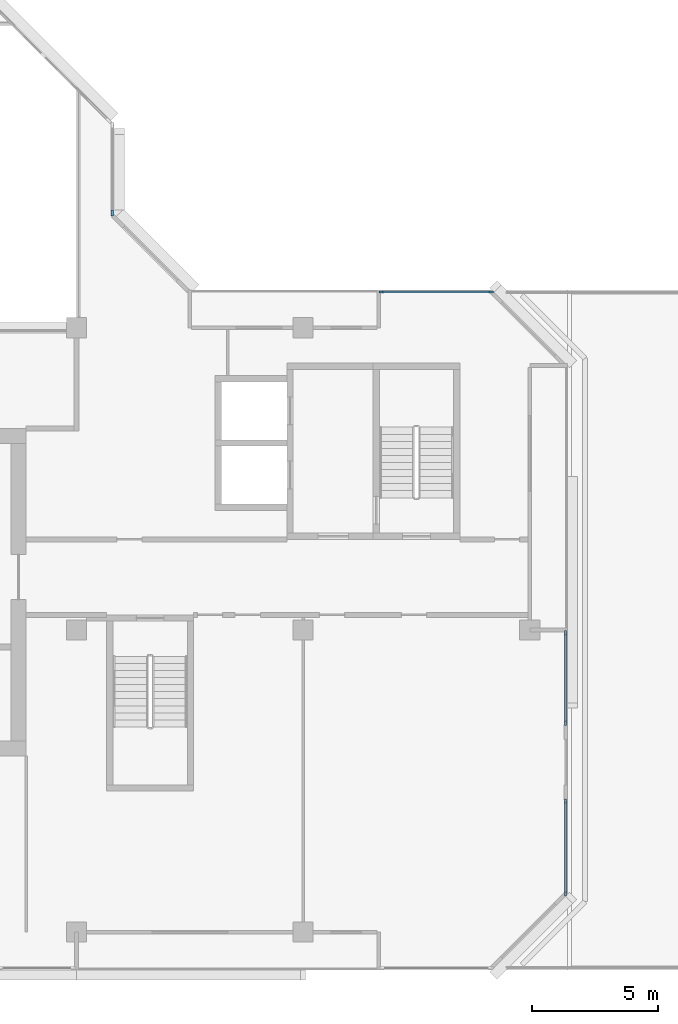
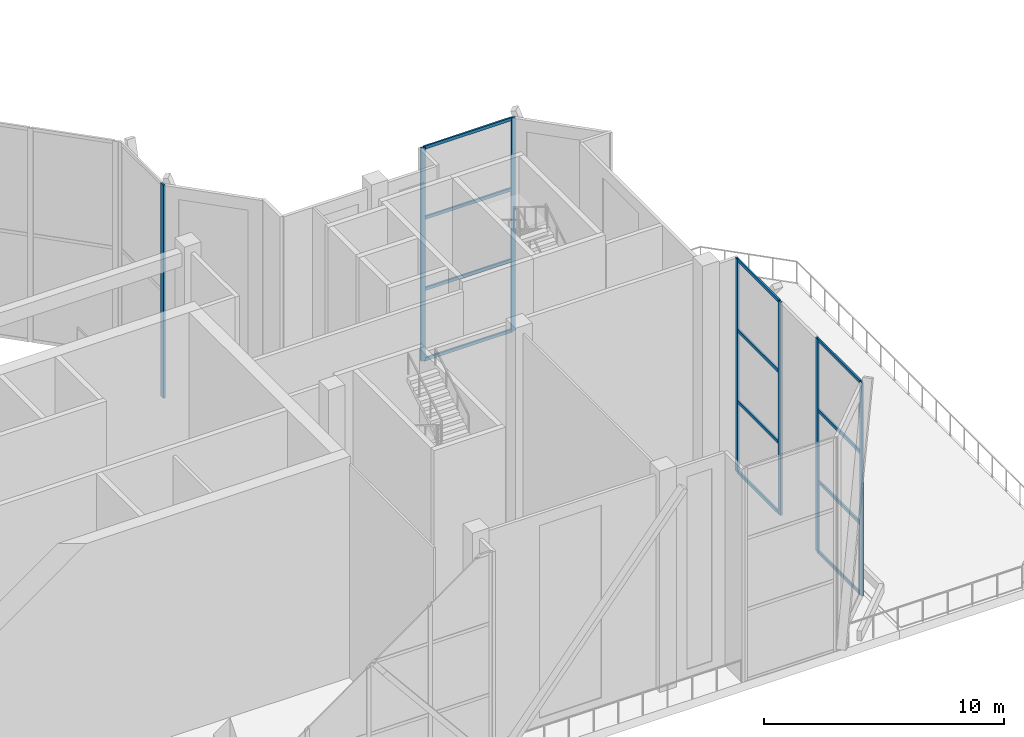
# One storey, part 4 of 16: 19 members, 4 elements without a shape of their own.
"""IFC4 building model written with IfcOpenShell, lengths in metres."""

import ifcopenshell
import ifcopenshell.guid

model = None  # the IFC model being written
_history = None  # IfcOwnerHistory: only IFC2X3 demands one
_inside = {}  # id of a spatial element -> (the spatial element, [elements in it])
_under = {}  # id of a project, library or spatial element -> (it, [spatial elements below it])
_declared = {}  # id of a project -> (the project, [libraries it declares])
_typed = {}  # id of a type object -> (the type object, [elements of that type])
_made_of = {}  # id of a material, layer set ... -> (it, [elements and type objects made of it])


def new_model(schema):
    """Start an empty IFC model of exactly this schema.

    Asked for "IFC4X3", IfcOpenShell would pick the latest addendum, in which some entities
    have other attributes; the version numbers below select the first issue.
    IFC2X3 requires an IfcOwnerHistory on every rooted entity: one is made here for all.
    """
    global model, _history
    if schema == "IFC4X3":
        model = ifcopenshell.file(schema_version=(4, 3, 0, 0))
    else:
        model = ifcopenshell.file(schema=schema)
    _inside.clear()
    _under.clear()
    _declared.clear()
    _typed.clear()
    _made_of.clear()
    _history = None
    if model.schema == "IFC2X3":
        org = make("IfcOrganization", Name="unknown")
        user = make(
            "IfcPersonAndOrganization",
            ThePerson=make("IfcPerson", FamilyName="unknown"),
            TheOrganization=org,
        )
        app = make(
            "IfcApplication",
            ApplicationDeveloper=org,
            Version="unknown",
            ApplicationFullName="unknown",
            ApplicationIdentifier="unknown",
        )
        _history = make(
            "IfcOwnerHistory",
            OwningUser=user,
            OwningApplication=app,
            ChangeAction="ADDED",
            CreationDate=0,
        )
    return model


def make(cls, **values):
    """One entity of the class cls with the attributes given. An attribute that is None is left unset."""
    return model.create_entity(
        cls, **{name: value for name, value in values.items() if value is not None}
    )


def rooted(cls, **values):
    """An entity with a GlobalId (a new one), such as an element, a storey or a relation."""
    return make(cls, GlobalId=ifcopenshell.guid.new(), OwnerHistory=_history, **values)


def si_unit(unit_type, name, prefix=None):
    """IfcSIUnit, for example si_unit("LENGTHUNIT", "METRE", prefix="MILLI")."""
    return make("IfcSIUnit", UnitType=unit_type, Prefix=prefix, Name=name)


def assignment(units):
    """IfcUnitAssignment: the units of a project."""
    return None if units is None else make("IfcUnitAssignment", Units=units)


def point(xyz):
    """IfcCartesianPoint."""
    return None if xyz is None else make("IfcCartesianPoint", Coordinates=xyz)


def direction(xyz):
    """IfcDirection."""
    return None if xyz is None else make("IfcDirection", DirectionRatios=xyz)


def frame(location, z_axis=None, x_axis=None):
    """IfcAxis2Placement3D, a coordinate frame: its origin and axes. An axis left out is left unset."""
    return make(
        "IfcAxis2Placement3D",
        Location=point(location),
        Axis=direction(z_axis),
        RefDirection=direction(x_axis),
    )


def frame_2d(location, x_axis=None):
    """IfcAxis2Placement2D, a coordinate frame in the plane: its origin and x axis."""
    return make(
        "IfcAxis2Placement2D", Location=point(location), RefDirection=direction(x_axis)
    )


def origin():
    """The frame at (0, 0, 0) with its axes left unset."""
    return frame((0.0, 0.0, 0.0))


def origin_2d():
    """The frame at (0, 0) in the plane with its x axis left unset."""
    return frame_2d((0.0, 0.0))


def place(relative_to, where):
    """IfcLocalPlacement: puts the frame where relative to a parent placement (None: the world)."""
    return make(
        "IfcLocalPlacement", PlacementRelTo=relative_to, RelativePlacement=where
    )


def context(
    kind, dimensions, precision=None, world=None, true_north=None, identifier=None
):
    """IfcGeometricRepresentationContext, for example the 3D "Model" context."""
    return make(
        "IfcGeometricRepresentationContext",
        ContextIdentifier=identifier,
        ContextType=kind,
        CoordinateSpaceDimension=dimensions,
        Precision=precision,
        WorldCoordinateSystem=world,
        TrueNorth=true_north,
    )


def subcontext(parent, identifier, kind, view, scale=None):
    """IfcGeometricRepresentationSubContext, for example "Body" below "Model"."""
    return make(
        "IfcGeometricRepresentationSubContext",
        ContextIdentifier=identifier,
        ContextType=kind,
        ParentContext=parent,
        TargetScale=scale,
        TargetView=view,
    )


def project(units=None, contexts=None):
    """IfcProject with its units and contexts."""
    return rooted(
        "IfcProject",
        Name="project",
        RepresentationContexts=contexts,
        UnitsInContext=assignment(units),
    )


def spatial(cls, under=None, at=None, **own):
    """A site, building, storey or space (cls), placed at a placement, below another one or the project."""
    s = rooted(cls, ObjectPlacement=at, **own)
    if under is not None:
        _under.setdefault(under.id(), (under, []))[1].append(s)
    return s


def profile(cls, at=None, kind="AREA", **sizes):
    """A parametric profile (cls). Its sizes go by their IFC names, for example OverallWidth=200.0."""
    return make(cls, ProfileType=kind, Position=at, **sizes)


def rectangle(**sizes):
    """IfcRectangleProfileDef."""
    return profile("IfcRectangleProfileDef", **sizes)


def extrude(swept, where, along, depth):
    """IfcExtrudedAreaSolid: the profile swept, set in the frame where, extruded along a direction by depth."""
    return make(
        "IfcExtrudedAreaSolid",
        SweptArea=swept,
        Position=where,
        ExtrudedDirection=direction(along),
        Depth=depth,
    )


def shape(context_of_items, identifier, shape_type, items):
    """IfcShapeRepresentation: the items that make up one representation, for example the "Body"."""
    return make(
        "IfcShapeRepresentation",
        ContextOfItems=context_of_items,
        RepresentationIdentifier=identifier,
        RepresentationType=shape_type,
        Items=items,
    )


def material(Name=None, Category=None):
    """IfcMaterial."""
    return make("IfcMaterial", Name=Name, Category=Category)


def layer(
    of_material, thickness, ventilated=None, Name=None, Category=None, Priority=None
):
    """IfcMaterialLayer: one layer of a wall or slab, of a material (None: an air gap)."""
    return make(
        "IfcMaterialLayer",
        Material=of_material,
        LayerThickness=thickness,
        IsVentilated=ventilated,
        Name=Name,
        Category=Category,
        Priority=Priority,
    )


def layer_set(layers, Name=None):
    """IfcMaterialLayerSet."""
    return make("IfcMaterialLayerSet", MaterialLayers=layers, LayerSetName=Name)


def material_profile(
    of_material, cross_section, Name=None, Category=None, Priority=None
):
    """IfcMaterialProfile: a cross section and its material."""
    return make(
        "IfcMaterialProfile",
        Name=Name,
        Material=of_material,
        Profile=cross_section,
        Priority=Priority,
        Category=Category,
    )


def profile_set(profiles, Name=None, composite=None):
    """IfcMaterialProfileSet."""
    return make(
        "IfcMaterialProfileSet",
        Name=Name,
        MaterialProfiles=profiles,
        CompositeProfile=composite,
    )


def made_of(thing, what):
    """Note that an element or type object is made of a material, layer set ...; save() writes the relation."""
    if what is not None:
        _made_of.setdefault(what.id(), (what, []))[1].append(thing)
    return thing


def type_object(cls, material=None, **own):
    """A type object (cls), such as IfcWallType, which elements share."""
    return made_of(rooted(cls, **own), material)


def element(
    cls,
    number,
    at=None,
    inside=None,
    cuts=None,
    type_object=None,
    material=None,
    context=None,
    identifier="Body",
    shape_type=None,
    held_by="IfcProductDefinitionShape",
    body=None,
    shapes=None,
    **own,
):
    """One element of the class cls, such as IfcWall. Its Tag is "e" and its number.

    at: its placement. inside: the storey or other place that contains it. cuts: it is an
    opening in that element (IfcRelVoidsElement). A single representation is given by context,
    identifier, shape_type and body (its items); several are given by shapes. held_by: the class
    of the entity that holds the representations. save() writes the other relations.
    """
    e = rooted(cls, Tag="e%d" % number, ObjectPlacement=at, **own)
    if body is not None:
        shapes = [shape(context, identifier, shape_type, body)]
    if shapes is not None:
        e.Representation = make(held_by, Representations=shapes)
    if inside is not None:
        _inside.setdefault(inside.id(), (inside, []))[1].append(e)
    if cuts is not None:
        rooted(
            "IfcRelVoidsElement", RelatingBuildingElement=cuts, RelatedOpeningElement=e
        )
    if type_object is not None:
        _typed.setdefault(type_object.id(), (type_object, []))[1].append(e)
    return made_of(e, material)


def aggregate(whole, parts):
    """IfcRelAggregates: a whole, such as a stair, and the parts it consists of."""
    return rooted("IfcRelAggregates", RelatingObject=whole, RelatedObjects=parts)


def save(model, path):
    """Write the relations noted so far, then the file.

    IfcRelAggregates (storeys below a building ...), IfcRelContainedInSpatialStructure (elements
    in a storey), IfcRelDefinesByType, IfcRelAssociatesMaterial and IfcRelDeclares: one each for
    every whole, place, type object, material and project.
    """
    for whole, parts in _under.values():
        aggregate(whole, parts)
    for where, things in _inside.values():
        rooted(
            "IfcRelContainedInSpatialStructure",
            RelatedElements=things,
            RelatingStructure=where,
        )
    for kind, things in _typed.values():
        rooted("IfcRelDefinesByType", RelatedObjects=things, RelatingType=kind)
    for what, things in _made_of.values():
        rooted("IfcRelAssociatesMaterial", RelatedObjects=things, RelatingMaterial=what)
    for by, libraries in _declared.values():
        rooted("IfcRelDeclares", RelatingContext=by, RelatedDefinitions=libraries)
    model.write(path)


model = new_model("IFC4")

# Units and contexts
model_context = context("Model", 3, precision=1e-05, world=origin(), true_north=direction((0.0, 1.0)))
body_context = subcontext(model_context, "Body", "Model", "MODEL_VIEW")
ifc_project = project(units=[si_unit("LENGTHUNIT", "METRE"), si_unit("AREAUNIT", "SQUARE_METRE"), si_unit("VOLUMEUNIT", "CUBIC_METRE"), si_unit("PLANEANGLEUNIT", "RADIAN"), si_unit("MASSUNIT", "GRAM", prefix="KILO")], contexts=[model_context])

# Site, building, storey
site_placement = place(None, origin())
site = spatial("IfcSite", under=ifc_project, at=site_placement, CompositionType="ELEMENT")
building_placement = place(site_placement, origin())
building = spatial("IfcBuilding", under=site, at=building_placement, Name="Chenar Terraces", CompositionType="ELEMENT")
storey_placement = place(building_placement, frame((0.0, 0.0, 327.64990234375)))
storey = spatial("IfcBuildingStorey", under=building, at=storey_placement, Name="L77", CompositionType="ELEMENT", Elevation=327.64990234375)

# Curtain wall, member
ifc_material_1 = material(Name="Aluminium framed glazing", Category="aluminium")
ifc_layer_1 = layer(ifc_material_1, 0.14990234375)
ifc_layer_set_1 = layer_set([ifc_layer_1], Name="Aluminium framed glazing")
curtain_wall_type_1 = type_object("IfcCurtainWallType", Name="Atrium upper-zone curtain wall", PredefinedType="NOTDEFINED", material=ifc_layer_set_1)
placement = place(storey_placement, origin())
curtain_wall_1 = element("IfcCurtainWall", 1, at=placement, inside=storey, type_object=curtain_wall_type_1, Name="Atrium upper-zone curtain wall", PredefinedType="NOTDEFINED")
ifc_material_2 = material(Name="Aluminium", Category="aluminium")
ifc_material_profile_1 = material_profile(ifc_material_2, rectangle(XDim=0.10009765625, YDim=0.239990234375, at=origin_2d()), Name="Atrium upper-zone glazing mullion 100 x 240")
ifc_profile_set_1 = profile_set([ifc_material_profile_1], Name="Aluminium")
member_type_1 = type_object("IfcMemberType", Name="Atrium upper-zone glazing mullion 100 x 240", PredefinedType="MULLION", material=ifc_profile_set_1)
member_1_placement = place(storey_placement, frame((37.425048828125, 28.550048828125, 0.0), z_axis=(0.0, 0.0, 1.0), x_axis=(-1.0, 0.0, 0.0)))
member_1 = element("IfcMember", 2, at=member_1_placement, type_object=member_type_1, Name="CW8-1 mullion 1", PredefinedType="MULLION", context=body_context, shape_type="SweptSolid", body=[
    extrude(rectangle(XDim=0.10009765625, YDim=0.239990234375, at=origin_2d()), origin(), (0.0, 0.0, 1.0), 10.85009765625),
])
aggregate(curtain_wall_1, [member_1])

# Curtain wall, members
ifc_material_3 = material(Name="Aluminium framed glazing", Category="aluminium")
ifc_layer_2 = layer(ifc_material_3, 0.14990234375)
ifc_layer_set_2 = layer_set([ifc_layer_2], Name="Aluminium framed glazing")
curtain_wall_type_2 = type_object("IfcCurtainWallType", Name="Sky garden curtain wall", PredefinedType="NOTDEFINED", material=ifc_layer_set_2)
curtain_wall_2 = element("IfcCurtainWall", 3, at=placement, inside=storey, type_object=curtain_wall_type_2, Name="Sky garden curtain wall", PredefinedType="NOTDEFINED")
ifc_material_4 = material(Name="Aluminium", Category="aluminium")
ifc_material_profile_2 = material_profile(ifc_material_4, rectangle(XDim=0.080078125, YDim=0.199951171875, at=origin_2d()), Name="Sky garden mullion 80 x 200")
ifc_profile_set_2 = profile_set([ifc_material_profile_2], Name="Aluminium")
member_type_2 = type_object("IfcMemberType", Name="Sky garden mullion 80 x 200", PredefinedType="MULLION", material=ifc_profile_set_2)
member_2_placement = place(storey_placement, frame((52.4599609375, 25.425048828125, 0.0), z_axis=(0.0, 0.0, 1.0), x_axis=(0.0, -1.0, 0.0)))
member_2 = element("IfcMember", 4, at=member_2_placement, type_object=member_type_2, Name="CW3-01 mullion 1", PredefinedType="MULLION", context=body_context, shape_type="SweptSolid", body=[
    extrude(rectangle(XDim=0.080078125, YDim=0.199951171875, at=origin_2d()), origin(), (0.0, 0.0, 1.0), 10.85009765625),
])
member_3_placement = place(storey_placement, frame((48.114990234375, 25.425048828125, 0.0), z_axis=(0.0, 0.0, 1.0), x_axis=(0.0, -1.0, 0.0)))
member_3 = element("IfcMember", 5, at=member_3_placement, type_object=member_type_2, Name="CW3-01 mullion 2", PredefinedType="MULLION", context=body_context, shape_type="SweptSolid", body=[
    extrude(rectangle(XDim=0.080078125, YDim=0.199951171875, at=origin_2d()), origin(), (0.0, 0.0, 1.0), 10.85009765625),
])

curtain_wall_3 = element("IfcCurtainWall", 6, at=placement, inside=storey, type_object=curtain_wall_type_2, Name="Sky garden curtain wall", PredefinedType="NOTDEFINED")
member_4_placement = place(storey_placement, frame((55.425048828125, 1.5400390625, 0.0), z_axis=(0.0, 0.0, 1.0), x_axis=(-1.0, 0.0, 0.0)))
member_4 = element("IfcMember", 7, at=member_4_placement, type_object=member_type_2, Name="CW3-08 mullion 1", PredefinedType="MULLION", context=body_context, shape_type="SweptSolid", body=[
    extrude(rectangle(XDim=0.080078125, YDim=0.199951171875, at=origin_2d()), origin(), (0.0, 0.0, 1.0), 10.85009765625),
])
member_5_placement = place(storey_placement, frame((55.425048828125, 5.197509765625, 0.0), z_axis=(0.0, 0.0, 1.0), x_axis=(-1.0, 0.0, 0.0)))
member_5 = element("IfcMember", 8, at=member_5_placement, type_object=member_type_2, Name="CW3-08 mullion 2", PredefinedType="MULLION", context=body_context, shape_type="SweptSolid", body=[
    extrude(rectangle(XDim=0.080078125, YDim=0.199951171875, at=origin_2d()), origin(), (0.0, 0.0, 1.0), 10.85009765625),
])

curtain_wall_4 = element("IfcCurtainWall", 9, at=placement, inside=storey, type_object=curtain_wall_type_2, Name="Sky garden curtain wall", PredefinedType="NOTDEFINED")
member_6_placement = place(storey_placement, frame((55.425048828125, 8.302490234375, 0.0), z_axis=(0.0, 0.0, 1.0), x_axis=(-1.0, 0.0, 0.0)))
member_6 = element("IfcMember", 10, at=member_6_placement, type_object=member_type_2, Name="CW3-09 mullion 1", PredefinedType="MULLION", context=body_context, shape_type="SweptSolid", body=[
    extrude(rectangle(XDim=0.080078125, YDim=0.199951171875, at=origin_2d()), origin(), (0.0, 0.0, 1.0), 10.85009765625),
])
member_7_placement = place(storey_placement, frame((55.425048828125, 11.885009765625, 0.0), z_axis=(0.0, 0.0, 1.0), x_axis=(-1.0, 0.0, 0.0)))
member_7 = element("IfcMember", 11, at=member_7_placement, type_object=member_type_2, Name="CW3-09 mullion 2", PredefinedType="MULLION", context=body_context, shape_type="SweptSolid", body=[
    extrude(rectangle(XDim=0.080078125, YDim=0.199951171875, at=origin_2d()), origin(), (0.0, 0.0, 1.0), 10.85009765625),
])

# Member
ifc_material_5 = material(Name="Aluminium", Category="aluminium")
ifc_material_profile_3 = material_profile(ifc_material_5, rectangle(XDim=0.080078125, YDim=0.159912109375, at=origin_2d()), Name="Sky garden transom 80 x 160")
ifc_profile_set_3 = profile_set([ifc_material_profile_3], Name="Aluminium")
member_type_3 = type_object("IfcMemberType", Name="Sky garden transom 80 x 160", PredefinedType="USERDEFINED", material=ifc_profile_set_3)
member_8_placement = place(storey_placement, frame((52.419921875, 25.425048828125, 0.0400390625), z_axis=(-1.0, 0.0, 0.0), x_axis=(0.0, -1.0, 0.0)))
member_8 = element("IfcMember", 12, at=member_8_placement, type_object=member_type_3, Name="CW3-01 transom 1.1", ObjectType="TRANSOM", PredefinedType="USERDEFINED", context=body_context, shape_type="SweptSolid", body=[
    extrude(rectangle(XDim=0.080078125, YDim=0.159912109375, at=origin_2d()), origin(), (0.0, 0.0, 1.0), 4.264892578125),
])

member_9_placement = place(storey_placement, frame((52.419921875, 25.425048828125, 3.6171875), z_axis=(-1.0, 0.0, 0.0), x_axis=(0.0, -1.0, 0.0)))
member_9 = element("IfcMember", 13, at=member_9_placement, type_object=member_type_3, Name="CW3-01 transom 1.2", ObjectType="TRANSOM", PredefinedType="USERDEFINED", context=body_context, shape_type="SweptSolid", body=[
    extrude(rectangle(XDim=0.080078125, YDim=0.159912109375, at=origin_2d()), origin(), (0.0, 0.0, 1.0), 4.264892578125),
])

member_10_placement = place(storey_placement, frame((52.419921875, 25.425048828125, 7.233154296875), z_axis=(-1.0, 0.0, 0.0), x_axis=(0.0, -1.0, 0.0)))
member_10 = element("IfcMember", 14, at=member_10_placement, type_object=member_type_3, Name="CW3-01 transom 1.3", ObjectType="TRANSOM", PredefinedType="USERDEFINED", context=body_context, shape_type="SweptSolid", body=[
    extrude(rectangle(XDim=0.080078125, YDim=0.159912109375, at=origin_2d()), origin(), (0.0, 0.0, 1.0), 4.264892578125),
])

member_11_placement = place(storey_placement, frame((52.419921875, 25.425048828125, 10.81005859375), z_axis=(-1.0, 0.0, 0.0), x_axis=(0.0, -1.0, 0.0)))
member_11 = element("IfcMember", 15, at=member_11_placement, type_object=member_type_3, Name="CW3-01 transom 1.4", ObjectType="TRANSOM", PredefinedType="USERDEFINED", context=body_context, shape_type="SweptSolid", body=[
    extrude(rectangle(XDim=0.080078125, YDim=0.159912109375, at=origin_2d()), origin(), (0.0, 0.0, 1.0), 4.264892578125),
])

aggregate(curtain_wall_2, [member_2, member_3, member_8, member_9, member_10, member_11])

member_12_placement = place(storey_placement, frame((55.425048828125, 1.580078125, 0.0400390625), z_axis=(0.0, 1.0, 0.0), x_axis=(-1.0, 0.0, 0.0)))
member_12 = element("IfcMember", 16, at=member_12_placement, type_object=member_type_3, Name="CW3-08 transom 1.1", ObjectType="TRANSOM", PredefinedType="USERDEFINED", context=body_context, shape_type="SweptSolid", body=[
    extrude(rectangle(XDim=0.080078125, YDim=0.159912109375, at=origin_2d()), origin(), (0.0, 0.0, 1.0), 3.577392578125),
])

member_13_placement = place(storey_placement, frame((55.425048828125, 1.580078125, 3.6171875), z_axis=(0.0, 1.0, 0.0), x_axis=(-1.0, 0.0, 0.0)))
member_13 = element("IfcMember", 17, at=member_13_placement, type_object=member_type_3, Name="CW3-08 transom 1.2", ObjectType="TRANSOM", PredefinedType="USERDEFINED", context=body_context, shape_type="SweptSolid", body=[
    extrude(rectangle(XDim=0.080078125, YDim=0.159912109375, at=origin_2d()), origin(), (0.0, 0.0, 1.0), 3.577392578125),
])

member_14_placement = place(storey_placement, frame((55.425048828125, 1.580078125, 7.233154296875), z_axis=(0.0, 1.0, 0.0), x_axis=(-1.0, 0.0, 0.0)))
member_14 = element("IfcMember", 18, at=member_14_placement, type_object=member_type_3, Name="CW3-08 transom 1.3", ObjectType="TRANSOM", PredefinedType="USERDEFINED", context=body_context, shape_type="SweptSolid", body=[
    extrude(rectangle(XDim=0.080078125, YDim=0.159912109375, at=origin_2d()), origin(), (0.0, 0.0, 1.0), 3.577392578125),
])

member_15_placement = place(storey_placement, frame((55.425048828125, 1.580078125, 10.81005859375), z_axis=(0.0, 1.0, 0.0), x_axis=(-1.0, 0.0, 0.0)))
member_15 = element("IfcMember", 19, at=member_15_placement, type_object=member_type_3, Name="CW3-08 transom 1.4", ObjectType="TRANSOM", PredefinedType="USERDEFINED", context=body_context, shape_type="SweptSolid", body=[
    extrude(rectangle(XDim=0.080078125, YDim=0.159912109375, at=origin_2d()), origin(), (0.0, 0.0, 1.0), 3.577392578125),
])

aggregate(curtain_wall_3, [member_4, member_5, member_12, member_13, member_14, member_15])

member_16_placement = place(storey_placement, frame((55.425048828125, 8.342529296875, 0.0400390625), z_axis=(0.0, 1.0, 0.0), x_axis=(-1.0, 0.0, 0.0)))
member_16 = element("IfcMember", 20, at=member_16_placement, type_object=member_type_3, Name="CW3-09 transom 1.1", ObjectType="TRANSOM", PredefinedType="USERDEFINED", context=body_context, shape_type="SweptSolid", body=[
    extrude(rectangle(XDim=0.080078125, YDim=0.159912109375, at=origin_2d()), origin(), (0.0, 0.0, 1.0), 3.50244140625),
])

member_17_placement = place(storey_placement, frame((55.425048828125, 8.342529296875, 3.6171875), z_axis=(0.0, 1.0, 0.0), x_axis=(-1.0, 0.0, 0.0)))
member_17 = element("IfcMember", 21, at=member_17_placement, type_object=member_type_3, Name="CW3-09 transom 1.2", ObjectType="TRANSOM", PredefinedType="USERDEFINED", context=body_context, shape_type="SweptSolid", body=[
    extrude(rectangle(XDim=0.080078125, YDim=0.159912109375, at=origin_2d()), origin(), (0.0, 0.0, 1.0), 3.50244140625),
])

member_18_placement = place(storey_placement, frame((55.425048828125, 8.342529296875, 7.233154296875), z_axis=(0.0, 1.0, 0.0), x_axis=(-1.0, 0.0, 0.0)))
member_18 = element("IfcMember", 22, at=member_18_placement, type_object=member_type_3, Name="CW3-09 transom 1.3", ObjectType="TRANSOM", PredefinedType="USERDEFINED", context=body_context, shape_type="SweptSolid", body=[
    extrude(rectangle(XDim=0.080078125, YDim=0.159912109375, at=origin_2d()), origin(), (0.0, 0.0, 1.0), 3.50244140625),
])

member_19_placement = place(storey_placement, frame((55.425048828125, 8.342529296875, 10.81005859375), z_axis=(0.0, 1.0, 0.0), x_axis=(-1.0, 0.0, 0.0)))
member_19 = element("IfcMember", 23, at=member_19_placement, type_object=member_type_3, Name="CW3-09 transom 1.4", ObjectType="TRANSOM", PredefinedType="USERDEFINED", context=body_context, shape_type="SweptSolid", body=[
    extrude(rectangle(XDim=0.080078125, YDim=0.159912109375, at=origin_2d()), origin(), (0.0, 0.0, 1.0), 3.50244140625),
])

aggregate(curtain_wall_4, [member_6, member_7, member_16, member_17, member_18, member_19])

save(model, "model.ifc")
